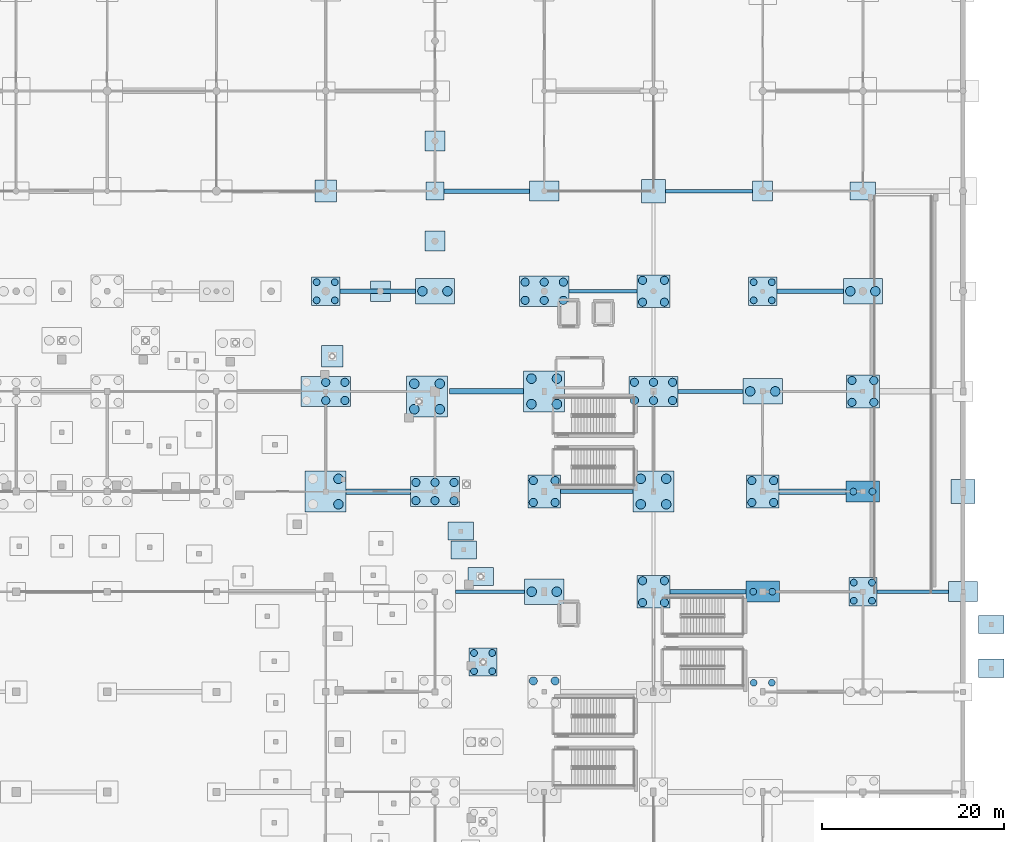
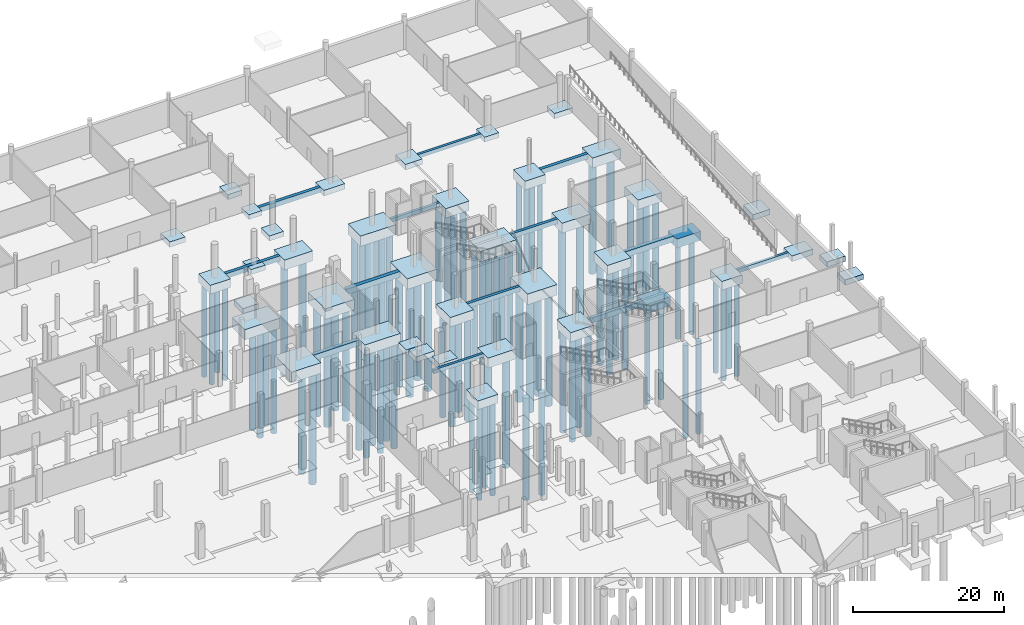
# One storey, part 7 of 60: 88 piles, 53 footings.
"""IFC4 building model written with IfcOpenShell, lengths in metres."""

from ifc_helpers import new_model, si_unit, direction, frame, origin, origin_2d, place, context, subcontext, project, spatial, rectangle, circle, extrude, material, material_profile, profile_set, type_object, element, save


model = new_model("IFC4")

# Units and contexts
model_context = context("Model", 3, precision=1e-05, world=origin(), true_north=direction((0.0, 1.0)))
body_context = subcontext(model_context, "Body", "Model", "MODEL_VIEW")
ifc_project = project(units=[si_unit("LENGTHUNIT", "METRE"), si_unit("AREAUNIT", "SQUARE_METRE"), si_unit("VOLUMEUNIT", "CUBIC_METRE"), si_unit("PLANEANGLEUNIT", "RADIAN"), si_unit("MASSUNIT", "GRAM", prefix="KILO")], contexts=[model_context])

# Site, building, storey
site_placement = place(None, origin())
site = spatial("IfcSite", under=ifc_project, at=site_placement, CompositionType="ELEMENT")
building_placement = place(site_placement, origin())
building = spatial("IfcBuilding", under=site, at=building_placement, Name="Luwafu Chhajja Arena", CompositionType="ELEMENT")
storey_placement = place(building_placement, frame((0.0, 0.0, -5.39990234375)))
storey = spatial("IfcBuildingStorey", under=building, at=storey_placement, Name="B1", CompositionType="ELEMENT", Elevation=-5.39990234375)

# Footings
ifc_material = material(Name="Concrete C35/45", Category="concrete")
footing_type_1 = type_object("IfcFootingType", Name="Arcade Corner Pad Footing PF-7", PredefinedType="PAD_FOOTING", material=ifc_material)
footing_1_placement = place(storey_placement, frame((140.0, 110.0, -0.75), z_axis=(0.0, 0.0, 1.0), x_axis=(1.0, 0.0, 0.0)))
element("IfcFooting", 1, at=footing_1_placement, inside=storey, type_object=footing_type_1, Name="Pad footing PAD-058", PredefinedType="PAD_FOOTING", context=body_context, shape_type="SweptSolid", body=[
    extrude(rectangle(XDim=2.0, YDim=2.0, at=origin_2d()), origin(), (0.0, 0.0, 1.0), 0.75),
])
ifc_material_profile_1 = material_profile(ifc_material, rectangle(XDim=0.39990234375, YDim=0.60009765625, at=origin_2d()), Name="RC 400x600")
ifc_profile_set_1 = profile_set([ifc_material_profile_1], Name="Concrete C35/45")
footing_type_2 = type_object("IfcFootingType", Name="Arcade Plinth Tie Beam GB-4", PredefinedType="FOOTING_BEAM", material=ifc_profile_set_1)
footing_2_placement = place(storey_placement, frame((142.25, 66.0, -0.300048828125), z_axis=(1.0, 0.0, 0.0), x_axis=(0.0, 1.0, 0.0)))
element("IfcFooting", 2, at=footing_2_placement, inside=storey, type_object=footing_type_2, Name="Ground tie beam GB-X-055", PredefinedType="FOOTING_BEAM", context=body_context, shape_type="SweptSolid", body=[
    extrude(rectangle(XDim=0.39990234375, YDim=0.60009765625, at=origin_2d()), origin(), (0.0, 0.0, 1.0), 7.60009765625),
])
footing_3_placement = place(storey_placement, frame((188.550048828125, 66.0, -0.300048828125), z_axis=(1.0, 0.0, 0.0), x_axis=(0.0, 1.0, 0.0)))
element("IfcFooting", 3, at=footing_3_placement, inside=storey, type_object=footing_type_2, Name="Ground tie beam GB-X-057", PredefinedType="FOOTING_BEAM", context=body_context, shape_type="SweptSolid", body=[
    extrude(rectangle(XDim=0.39990234375, YDim=0.60009765625, at=origin_2d()), origin(), (0.0, 0.0, 1.0), 7.849853515625),
])
footing_4_placement = place(storey_placement, frame((154.699951171875, 99.0, -0.300048828125), z_axis=(1.0, 0.0, 0.0), x_axis=(0.0, 1.0, 0.0)))
element("IfcFooting", 4, at=footing_4_placement, inside=storey, type_object=footing_type_2, Name="Ground tie beam GB-X-081", PredefinedType="FOOTING_BEAM", context=body_context, shape_type="SweptSolid", body=[
    extrude(rectangle(XDim=0.39990234375, YDim=0.60009765625, at=origin_2d()), origin(), (0.0, 0.0, 1.0), 7.5),
])
footing_5_placement = place(storey_placement, frame((165.300048828125, 110.0, -0.300048828125), z_axis=(1.0, 0.0, 0.0), x_axis=(0.0, 1.0, 0.0)))
element("IfcFooting", 5, at=footing_5_placement, inside=storey, type_object=footing_type_2, Name="Ground tie beam GB-X-088", PredefinedType="FOOTING_BEAM", context=body_context, shape_type="SweptSolid", body=[
    extrude(rectangle(XDim=0.39990234375, YDim=0.60009765625, at=origin_2d()), origin(), (0.0, 0.0, 1.0), 9.599853515625),
])

# Piles
ifc_material_profile_2 = material_profile(ifc_material, circle(Radius=0.52490234375, at=origin_2d()), Name="PILE D1050")
ifc_profile_set_2 = profile_set([ifc_material_profile_2], Name="Concrete C35/45")
pile_type_1 = type_object("IfcPileType", Name="Bored Socketed Pile D1050", PredefinedType="BORED", material=ifc_profile_set_2)
for number, where, z_axis, x_axis, name in (
    (6, (137.72802734375, 86.04541015625, -1.60009765625), (0.0, 0.0, -1.0), (1.0, 0.0, 0.0), "Bored pile PIL-PC-3-001-1"),
    (7, (140.528076171875, 86.04541015625, -1.60009765625), (0.0, 0.0, -1.0), (1.0, 0.0, 0.0), "Bored pile PIL-PC-3-001-2"),
    (8, (137.72802734375, 88.845458984375, -1.60009765625), (0.0, 0.0, -1.0), (1.0, 0.0, 0.0), "Bored pile PIL-PC-3-001-3"),
    (9, (140.528076171875, 88.845458984375, -1.60009765625), (0.0, 0.0, -1.0), (1.0, 0.0, 0.0), "Bored pile PIL-PC-3-001-4"),
    (10, (129.39990234375, 75.60009765625, -1.60009765625), (0.0, 0.0, -1.0), (1.0, 0.0, 0.0), "Bored pile PIL-PC-3-084-2"),
    (11, (129.39990234375, 78.39990234375, -1.60009765625), (0.0, 0.0, -1.0), (1.0, 0.0, 0.0), "Bored pile PIL-PC-3-084-4"),
    (12, (138.625, 99.0, -1.5), (0.0, 0.0, -1.0), (1.0, 0.0, 0.0), "Bored pile PIL-PC-2-094-1"),
    (13, (141.375, 99.0, -1.5), (0.0, 0.0, -1.0), (1.0, 0.0, 0.0), "Bored pile PIL-PC-2-094-2"),
    (14, (150.625, 66.0, -1.5), (0.0, 0.0, -1.0), (1.0, 0.0, 0.0), "Bored pile PIL-PC-2-101-1"),
    (15, (153.375, 66.0, -1.5), (0.0, 0.0, -1.0), (1.0, 0.0, 0.0), "Bored pile PIL-PC-2-101-2"),
    (16, (150.60009765625, 86.60009765625, -1.60009765625), (0.0, 0.0, -1.0), (1.0, 0.0, 0.0), "Bored pile PIL-PC-3-103-1"),
    (17, (153.39990234375, 86.60009765625, -1.60009765625), (0.0, 0.0, -1.0), (1.0, 0.0, 0.0), "Bored pile PIL-PC-3-103-2"),
    (18, (150.60009765625, 89.39990234375, -1.60009765625), (0.0, 0.0, -1.0), (1.0, 0.0, 0.0), "Bored pile PIL-PC-3-103-3"),
    (19, (153.39990234375, 89.39990234375, -1.60009765625), (0.0, 0.0, -1.0), (1.0, 0.0, 0.0), "Bored pile PIL-PC-3-103-4"),
    (20, (162.60009765625, 75.60009765625, -1.60009765625), (0.0, 0.0, -1.0), (1.0, 0.0, 0.0), "Bored pile PIL-PC-3-112-1"),
    (21, (165.39990234375, 75.60009765625, -1.60009765625), (0.0, 0.0, -1.0), (1.0, 0.0, 0.0), "Bored pile PIL-PC-3-112-2"),
    (22, (162.60009765625, 78.39990234375, -1.60009765625), (0.0, 0.0, -1.0), (1.0, 0.0, 0.0), "Bored pile PIL-PC-3-112-3"),
    (23, (165.39990234375, 78.39990234375, -1.60009765625), (0.0, 0.0, -1.0), (1.0, 0.0, 0.0), "Bored pile PIL-PC-3-112-4"),
    (24, (174.625, 88.0, -1.5), (0.0, 0.0, -1.0), (1.0, 0.0, 0.0), "Bored pile PIL-PC-2-122-1"),
    (25, (177.375, 88.0, -1.5), (0.0, 0.0, -1.0), (1.0, 0.0, 0.0), "Bored pile PIL-PC-2-122-2"),
    (26, (185.625, 99.0, -1.5), (0.0, 0.0, -1.0), (1.0, 0.0, 0.0), "Bored pile PIL-PC-2-132-1"),
    (27, (188.375, 99.0, -1.5), (0.0, 0.0, -1.0), (1.0, 0.0, 0.0), "Bored pile PIL-PC-2-132-2"),
):
    element("IfcPile", number, at=place(storey_placement, frame(where, z_axis=z_axis, x_axis=x_axis)), inside=storey, type_object=pile_type_1, Name=name, PredefinedType="BORED", context=body_context, shape_type="SweptSolid", body=[
        extrude(circle(Radius=0.52490234375, at=origin_2d()), origin(), (0.0, 0.0, 1.0), 18.0),
    ])
ifc_material_profile_3 = material_profile(ifc_material, circle(Radius=0.375, at=origin_2d()), Name="PILE D750")
ifc_profile_set_3 = profile_set([ifc_material_profile_3], Name="Concrete C35/45")
pile_type_2 = type_object("IfcPileType", Name="Bored Socketed Pile D750", PredefinedType="BORED", material=ifc_profile_set_3)
for number, where, z_axis, x_axis, name in (
    (28, (127.0, 98.0, -1.300048828125), (0.0, 0.0, -1.0), (1.0, 0.0, 0.0), "Bored pile PIL-PC-4-086-1"),
    (29, (129.0, 98.0, -1.300048828125), (0.0, 0.0, -1.0), (1.0, 0.0, 0.0), "Bored pile PIL-PC-4-086-2"),
    (30, (127.0, 100.0, -1.300048828125), (0.0, 0.0, -1.0), (1.0, 0.0, 0.0), "Bored pile PIL-PC-4-086-3"),
    (31, (129.0, 100.0, -1.300048828125), (0.0, 0.0, -1.0), (1.0, 0.0, 0.0), "Bored pile PIL-PC-4-086-4"),
    (32, (175.0, 56.0, -1.300048828125), (0.0, 0.0, -1.0), (1.0, 0.0, 0.0), "Bored pile PIL-PC-4-119-3"),
    (33, (177.0, 56.0, -1.300048828125), (0.0, 0.0, -1.0), (1.0, 0.0, 0.0), "Bored pile PIL-PC-4-119-4"),
):
    element("IfcPile", number, at=place(storey_placement, frame(where, z_axis=z_axis, x_axis=x_axis)), inside=storey, type_object=pile_type_2, Name=name, PredefinedType="BORED", context=body_context, shape_type="SweptSolid", body=[
        extrude(circle(Radius=0.375, at=origin_2d()), origin(), (0.0, 0.0, 1.0), 15.0),
    ])
for number, where, z_axis, x_axis, name in (
    (34, (174.949951171875, 66.0, -1.35009765625), (0.0, 0.0, -1.0), (1.0, 0.0, 0.0), "Bored pile PIL-PC-6-120-1"),
    (35, (177.050048828125, 66.0, -1.35009765625), (0.0, 0.0, -1.0), (1.0, 0.0, 0.0), "Bored pile PIL-PC-6-120-2"),
):
    element("IfcPile", number, at=place(storey_placement, frame(where, z_axis=z_axis, x_axis=x_axis)), inside=storey, type_object=pile_type_2, Name=name, PredefinedType="BORED", context=body_context, shape_type="SweptSolid", body=[
        extrude(circle(Radius=0.375, at=origin_2d()), origin(), (0.0, 0.0, 1.0), 15.5),
    ])
for number, where, z_axis, x_axis, name in (
    (36, (175.0, 98.0, -1.300048828125), (0.0, 0.0, -1.0), (1.0, 0.0, 0.0), "Bored pile PIL-PC-4-123-1"),
    (37, (177.0, 98.0, -1.300048828125), (0.0, 0.0, -1.0), (1.0, 0.0, 0.0), "Bored pile PIL-PC-4-123-2"),
    (38, (175.0, 100.0, -1.300048828125), (0.0, 0.0, -1.0), (1.0, 0.0, 0.0), "Bored pile PIL-PC-4-123-3"),
    (39, (177.0, 100.0, -1.300048828125), (0.0, 0.0, -1.0), (1.0, 0.0, 0.0), "Bored pile PIL-PC-4-123-4"),
    (40, (186.0, 65.0, -1.300048828125), (0.0, 0.0, -1.0), (1.0, 0.0, 0.0), "Bored pile PIL-PC-4-129-1"),
    (41, (188.0, 65.0, -1.300048828125), (0.0, 0.0, -1.0), (1.0, 0.0, 0.0), "Bored pile PIL-PC-4-129-2"),
    (42, (186.0, 67.0, -1.300048828125), (0.0, 0.0, -1.0), (1.0, 0.0, 0.0), "Bored pile PIL-PC-4-129-3"),
    (43, (188.0, 67.0, -1.300048828125), (0.0, 0.0, -1.0), (1.0, 0.0, 0.0), "Bored pile PIL-PC-4-129-4"),
):
    element("IfcPile", number, at=place(storey_placement, frame(where, z_axis=z_axis, x_axis=x_axis)), inside=storey, type_object=pile_type_2, Name=name, PredefinedType="BORED", context=body_context, shape_type="SweptSolid", body=[
        extrude(circle(Radius=0.375, at=origin_2d()), origin(), (0.0, 0.0, 1.0), 15.0),
    ])
for number, where, z_axis, x_axis, name in (
    (44, (185.949951171875, 77.0, -1.35009765625), (0.0, 0.0, -1.0), (1.0, 0.0, 0.0), "Bored pile PIL-PC-6-130-1"),
    (45, (188.050048828125, 77.0, -1.35009765625), (0.0, 0.0, -1.0), (1.0, 0.0, 0.0), "Bored pile PIL-PC-6-130-2"),
):
    element("IfcPile", number, at=place(storey_placement, frame(where, z_axis=z_axis, x_axis=x_axis)), inside=storey, type_object=pile_type_2, Name=name, PredefinedType="BORED", context=body_context, shape_type="SweptSolid", body=[
        extrude(circle(Radius=0.375, at=origin_2d()), origin(), (0.0, 0.0, 1.0), 15.5),
    ])
for number, where, z_axis, x_axis, name in (
    (46, (144.28759765625, 57.269775390625, -1.300048828125), (0.0, 0.0, -1.0), (1.0, 0.0, 0.0), "Bored pile PIL-PC-4-134-1"),
    (47, (146.28759765625, 57.269775390625, -1.300048828125), (0.0, 0.0, -1.0), (1.0, 0.0, 0.0), "Bored pile PIL-PC-4-134-2"),
    (48, (144.28759765625, 59.269775390625, -1.300048828125), (0.0, 0.0, -1.0), (1.0, 0.0, 0.0), "Bored pile PIL-PC-4-134-3"),
    (49, (146.28759765625, 59.269775390625, -1.300048828125), (0.0, 0.0, -1.0), (1.0, 0.0, 0.0), "Bored pile PIL-PC-4-134-4"),
):
    element("IfcPile", number, at=place(storey_placement, frame(where, z_axis=z_axis, x_axis=x_axis)), inside=storey, type_object=pile_type_2, Name=name, PredefinedType="BORED", context=body_context, shape_type="SweptSolid", body=[
        extrude(circle(Radius=0.375, at=origin_2d()), origin(), (0.0, 0.0, 1.0), 15.0),
    ])
ifc_material_profile_4 = material_profile(ifc_material, circle(Radius=0.449951171875, at=origin_2d()), Name="PILE D900")
ifc_profile_set_4 = profile_set([ifc_material_profile_4], Name="Concrete C35/45")
pile_type_3 = type_object("IfcPileType", Name="Bored Socketed Pile D900", PredefinedType="BORED", material=ifc_profile_set_4)
for number, where, z_axis, x_axis, name in (
    (50, (128.0, 87.0, -1.550048828125), (0.0, 0.0, -1.0), (1.0, 0.0, 0.0), "Bored pile PIL-PC-5-085-2"),
    (51, (130.10009765625, 87.0, -1.550048828125), (0.0, 0.0, -1.0), (1.0, 0.0, 0.0), "Bored pile PIL-PC-5-085-3"),
    (52, (128.0, 89.0, -1.550048828125), (0.0, 0.0, -1.0), (1.0, 0.0, 0.0), "Bored pile PIL-PC-5-085-5"),
    (53, (130.10009765625, 89.0, -1.550048828125), (0.0, 0.0, -1.0), (1.0, 0.0, 0.0), "Bored pile PIL-PC-5-085-6"),
    (54, (137.89990234375, 76.0, -1.550048828125), (0.0, 0.0, -1.0), (1.0, 0.0, 0.0), "Bored pile PIL-PC-5-093-1"),
    (55, (140.0, 76.0, -1.550048828125), (0.0, 0.0, -1.0), (1.0, 0.0, 0.0), "Bored pile PIL-PC-5-093-2"),
    (56, (142.10009765625, 76.0, -1.550048828125), (0.0, 0.0, -1.0), (1.0, 0.0, 0.0), "Bored pile PIL-PC-5-093-3"),
    (57, (137.89990234375, 78.0, -1.550048828125), (0.0, 0.0, -1.0), (1.0, 0.0, 0.0), "Bored pile PIL-PC-5-093-4"),
    (58, (140.0, 78.0, -1.550048828125), (0.0, 0.0, -1.0), (1.0, 0.0, 0.0), "Bored pile PIL-PC-5-093-5"),
    (59, (142.10009765625, 78.0, -1.550048828125), (0.0, 0.0, -1.0), (1.0, 0.0, 0.0), "Bored pile PIL-PC-5-093-6"),
):
    element("IfcPile", number, at=place(storey_placement, frame(where, z_axis=z_axis, x_axis=x_axis)), inside=storey, type_object=pile_type_3, Name=name, PredefinedType="BORED", context=body_context, shape_type="SweptSolid", body=[
        extrude(circle(Radius=0.449951171875, at=origin_2d()), origin(), (0.0, 0.0, 1.0), 17.0),
    ])
for number, where, z_axis, x_axis, name in (
    (60, (150.800048828125, 56.199951171875, -1.400146484375), (0.0, 0.0, -1.0), (1.0, 0.0, 0.0), "Bored pile PIL-PC-1-100-3"),
    (61, (153.199951171875, 56.199951171875, -1.400146484375), (0.0, 0.0, -1.0), (1.0, 0.0, 0.0), "Bored pile PIL-PC-1-100-4"),
    (62, (150.800048828125, 75.800048828125, -1.400146484375), (0.0, 0.0, -1.0), (1.0, 0.0, 0.0), "Bored pile PIL-PC-1-102-1"),
    (63, (153.199951171875, 75.800048828125, -1.400146484375), (0.0, 0.0, -1.0), (1.0, 0.0, 0.0), "Bored pile PIL-PC-1-102-2"),
    (64, (150.800048828125, 78.199951171875, -1.400146484375), (0.0, 0.0, -1.0), (1.0, 0.0, 0.0), "Bored pile PIL-PC-1-102-3"),
    (65, (153.199951171875, 78.199951171875, -1.400146484375), (0.0, 0.0, -1.0), (1.0, 0.0, 0.0), "Bored pile PIL-PC-1-102-4"),
):
    element("IfcPile", number, at=place(storey_placement, frame(where, z_axis=z_axis, x_axis=x_axis)), inside=storey, type_object=pile_type_3, Name=name, PredefinedType="BORED", context=body_context, shape_type="SweptSolid", body=[
        extrude(circle(Radius=0.449951171875, at=origin_2d()), origin(), (0.0, 0.0, 1.0), 16.5),
    ])
for number, where, z_axis, x_axis, name in (
    (66, (149.89990234375, 98.0, -1.550048828125), (0.0, 0.0, -1.0), (1.0, 0.0, 0.0), "Bored pile PIL-PC-5-104-1"),
    (67, (152.0, 98.0, -1.550048828125), (0.0, 0.0, -1.0), (1.0, 0.0, 0.0), "Bored pile PIL-PC-5-104-2"),
    (68, (154.10009765625, 98.0, -1.550048828125), (0.0, 0.0, -1.0), (1.0, 0.0, 0.0), "Bored pile PIL-PC-5-104-3"),
    (69, (149.89990234375, 100.0, -1.550048828125), (0.0, 0.0, -1.0), (1.0, 0.0, 0.0), "Bored pile PIL-PC-5-104-4"),
    (70, (152.0, 100.0, -1.550048828125), (0.0, 0.0, -1.0), (1.0, 0.0, 0.0), "Bored pile PIL-PC-5-104-5"),
    (71, (154.10009765625, 100.0, -1.550048828125), (0.0, 0.0, -1.0), (1.0, 0.0, 0.0), "Bored pile PIL-PC-5-104-6"),
):
    element("IfcPile", number, at=place(storey_placement, frame(where, z_axis=z_axis, x_axis=x_axis)), inside=storey, type_object=pile_type_3, Name=name, PredefinedType="BORED", context=body_context, shape_type="SweptSolid", body=[
        extrude(circle(Radius=0.449951171875, at=origin_2d()), origin(), (0.0, 0.0, 1.0), 17.0),
    ])
for number, where, z_axis, x_axis, name in (
    (72, (162.800048828125, 64.800048828125, -1.400146484375), (0.0, 0.0, -1.0), (1.0, 0.0, 0.0), "Bored pile PIL-PC-1-111-1"),
    (73, (165.199951171875, 64.800048828125, -1.400146484375), (0.0, 0.0, -1.0), (1.0, 0.0, 0.0), "Bored pile PIL-PC-1-111-2"),
    (74, (162.800048828125, 67.199951171875, -1.400146484375), (0.0, 0.0, -1.0), (1.0, 0.0, 0.0), "Bored pile PIL-PC-1-111-3"),
    (75, (165.199951171875, 67.199951171875, -1.400146484375), (0.0, 0.0, -1.0), (1.0, 0.0, 0.0), "Bored pile PIL-PC-1-111-4"),
):
    element("IfcPile", number, at=place(storey_placement, frame(where, z_axis=z_axis, x_axis=x_axis)), inside=storey, type_object=pile_type_3, Name=name, PredefinedType="BORED", context=body_context, shape_type="SweptSolid", body=[
        extrude(circle(Radius=0.449951171875, at=origin_2d()), origin(), (0.0, 0.0, 1.0), 16.5),
    ])
for number, where, z_axis, x_axis, name in (
    (76, (161.89990234375, 87.0, -1.550048828125), (0.0, 0.0, -1.0), (1.0, 0.0, 0.0), "Bored pile PIL-PC-5-113-1"),
    (77, (164.0, 87.0, -1.550048828125), (0.0, 0.0, -1.0), (1.0, 0.0, 0.0), "Bored pile PIL-PC-5-113-2"),
    (78, (166.10009765625, 87.0, -1.550048828125), (0.0, 0.0, -1.0), (1.0, 0.0, 0.0), "Bored pile PIL-PC-5-113-3"),
    (79, (161.89990234375, 89.0, -1.550048828125), (0.0, 0.0, -1.0), (1.0, 0.0, 0.0), "Bored pile PIL-PC-5-113-4"),
    (80, (164.0, 89.0, -1.550048828125), (0.0, 0.0, -1.0), (1.0, 0.0, 0.0), "Bored pile PIL-PC-5-113-5"),
    (81, (166.10009765625, 89.0, -1.550048828125), (0.0, 0.0, -1.0), (1.0, 0.0, 0.0), "Bored pile PIL-PC-5-113-6"),
):
    element("IfcPile", number, at=place(storey_placement, frame(where, z_axis=z_axis, x_axis=x_axis)), inside=storey, type_object=pile_type_3, Name=name, PredefinedType="BORED", context=body_context, shape_type="SweptSolid", body=[
        extrude(circle(Radius=0.449951171875, at=origin_2d()), origin(), (0.0, 0.0, 1.0), 17.0),
    ])
for number, where, z_axis, x_axis, name in (
    (82, (162.800048828125, 97.800048828125, -1.400146484375), (0.0, 0.0, -1.0), (1.0, 0.0, 0.0), "Bored pile PIL-PC-1-114-1"),
    (83, (165.199951171875, 97.800048828125, -1.400146484375), (0.0, 0.0, -1.0), (1.0, 0.0, 0.0), "Bored pile PIL-PC-1-114-2"),
    (84, (162.800048828125, 100.199951171875, -1.400146484375), (0.0, 0.0, -1.0), (1.0, 0.0, 0.0), "Bored pile PIL-PC-1-114-3"),
    (85, (165.199951171875, 100.199951171875, -1.400146484375), (0.0, 0.0, -1.0), (1.0, 0.0, 0.0), "Bored pile PIL-PC-1-114-4"),
    (86, (174.800048828125, 75.800048828125, -1.400146484375), (0.0, 0.0, -1.0), (1.0, 0.0, 0.0), "Bored pile PIL-PC-1-121-1"),
    (87, (177.199951171875, 75.800048828125, -1.400146484375), (0.0, 0.0, -1.0), (1.0, 0.0, 0.0), "Bored pile PIL-PC-1-121-2"),
    (88, (174.800048828125, 78.199951171875, -1.400146484375), (0.0, 0.0, -1.0), (1.0, 0.0, 0.0), "Bored pile PIL-PC-1-121-3"),
    (89, (177.199951171875, 78.199951171875, -1.400146484375), (0.0, 0.0, -1.0), (1.0, 0.0, 0.0), "Bored pile PIL-PC-1-121-4"),
    (90, (185.800048828125, 86.800048828125, -1.400146484375), (0.0, 0.0, -1.0), (1.0, 0.0, 0.0), "Bored pile PIL-PC-1-131-1"),
    (91, (188.199951171875, 86.800048828125, -1.400146484375), (0.0, 0.0, -1.0), (1.0, 0.0, 0.0), "Bored pile PIL-PC-1-131-2"),
    (92, (185.800048828125, 89.199951171875, -1.400146484375), (0.0, 0.0, -1.0), (1.0, 0.0, 0.0), "Bored pile PIL-PC-1-131-3"),
    (93, (188.199951171875, 89.199951171875, -1.400146484375), (0.0, 0.0, -1.0), (1.0, 0.0, 0.0), "Bored pile PIL-PC-1-131-4"),
):
    element("IfcPile", number, at=place(storey_placement, frame(where, z_axis=z_axis, x_axis=x_axis)), inside=storey, type_object=pile_type_3, Name=name, PredefinedType="BORED", context=body_context, shape_type="SweptSolid", body=[
        extrude(circle(Radius=0.449951171875, at=origin_2d()), origin(), (0.0, 0.0, 1.0), 16.5),
    ])

# Footings
footing_type_3 = type_object("IfcFootingType", Name="Charbagh Arcade Pad Footing PF-2", PredefinedType="PAD_FOOTING", material=ifc_material)
for number, where, z_axis, x_axis, name in (
    (94, (176.0, 110.0, -0.80029296875), (0.0, 0.0, 1.0), (1.0, 0.0, 0.0), "Pad footing PAD-068"),
    (95, (134.0, 99.0, -0.80029296875), (0.0, 0.0, 1.0), (1.0, 0.0, 0.0), "Pad footing PAD-111"),
    (96, (140.0, 104.5, -0.80029296875), (0.0, 0.0, 1.0), (1.0, 0.0, 0.0), "Pad footing PAD-113"),
    (97, (140.0, 115.5, -0.80029296875), (0.0, 0.0, 1.0), (1.0, 0.0, 0.0), "Pad footing PAD-115"),
):
    element("IfcFooting", number, at=place(storey_placement, frame(where, z_axis=z_axis, x_axis=x_axis)), inside=storey, type_object=footing_type_3, Name=name, PredefinedType="PAD_FOOTING", context=body_context, shape_type="SweptSolid", body=[
        extrude(rectangle(XDim=2.199951171875, YDim=2.199951171875, at=origin_2d()), origin(), (0.0, 0.0, 1.0), 0.800048828125),
    ])
footing_type_4 = type_object("IfcFootingType", Name="Colonnade Pad Footing PF-1", PredefinedType="PAD_FOOTING", material=ifc_material)
for number, where, z_axis, x_axis, name in (
    (98, (164.0, 110.0, -0.900146484375), (0.0, 0.0, 1.0), (1.0, 0.0, 0.0), "Pad footing PAD-064"),
    (99, (198.0, 77.0, -0.900146484375), (0.0, 0.0, 1.0), (1.0, 0.0, 0.0), "Pad footing PAD-082"),
):
    element("IfcFooting", number, at=place(storey_placement, frame(where, z_axis=z_axis, x_axis=x_axis)), inside=storey, type_object=footing_type_4, Name=name, PredefinedType="PAD_FOOTING", context=body_context, shape_type="SweptSolid", body=[
        extrude(rectangle(XDim=2.60009765625, YDim=2.60009765625, at=origin_2d()), origin(), (0.0, 0.0, 1.0), 0.89990234375),
    ])
footing_type_5 = type_object("IfcFootingType", Name="Forecourt Canopy Pad Footing PF-3", PredefinedType="PAD_FOOTING", material=ifc_material)
for number, where, z_axis, x_axis, name in (
    (100, (187.0, 110.0, -0.85009765625), (0.0, 0.0, 1.0), (1.0, 0.0, 0.0), "Pad footing PAD-072"),
    (101, (145.031982421875, 67.6611328125, -0.85009765625), (0.0, 0.0, 1.0), (1.0, 0.0, 0.0), "Pad footing PAD-088"),
    (102, (201.10009765625, 57.60009765625, -0.85009765625), (0.0, 0.0, 1.0), (1.0, 0.0, 0.0), "Pad footing PAD-216"),
    (103, (201.10009765625, 62.39990234375, -0.85009765625), (0.0, 0.0, 1.0), (1.0, 0.0, 0.0), "Pad footing PAD-217"),
    (104, (143.145751953125, 70.58984375, -0.85009765625), (0.0, 0.0, 1.0), (1.0, 0.0, 0.0), "Pad footing PAD-220"),
    (105, (142.821044921875, 72.66455078125, -0.85009765625), (0.0, 0.0, 1.0), (1.0, 0.0, 0.0), "Pad footing PAD-221"),
):
    element("IfcFooting", number, at=place(storey_placement, frame(where, z_axis=z_axis, x_axis=x_axis)), inside=storey, type_object=footing_type_5, Name=name, PredefinedType="PAD_FOOTING", context=body_context, shape_type="SweptSolid", body=[
        extrude(rectangle(XDim=2.800048828125, YDim=2.0, at=origin_2d()), origin(), (0.0, 0.0, 1.0), 0.85009765625),
    ])
footing_type_6 = type_object("IfcFootingType", Name="Light Court Pad Footing PF-8", PredefinedType="PAD_FOOTING", material=ifc_material)
for number, where, z_axis, x_axis, name in (
    (106, (152.0, 110.0, -0.900146484375), (0.0, 0.0, 1.0), (1.0, 0.0, 0.0), "Pad footing PAD-061"),
    (107, (198.0, 66.0, -0.900146484375), (0.0, 0.0, 1.0), (1.0, 0.0, 0.0), "Pad footing PAD-081"),
):
    element("IfcFooting", number, at=place(storey_placement, frame(where, z_axis=z_axis, x_axis=x_axis)), inside=storey, type_object=footing_type_6, Name=name, PredefinedType="PAD_FOOTING", context=body_context, shape_type="SweptSolid", body=[
        extrude(rectangle(XDim=3.199951171875, YDim=2.199951171875, at=origin_2d()), origin(), (0.0, 0.0, 1.0), 0.89990234375),
    ])
ifc_material_profile_5 = material_profile(ifc_material, rectangle(XDim=0.449951171875, YDim=0.75, at=origin_2d()), Name="RC 450x750")
ifc_profile_set_5 = profile_set([ifc_material_profile_5], Name="Concrete C35/45")
footing_type_7 = type_object("IfcFootingType", Name="Perimeter Plinth Ground Beam GB-3", PredefinedType="FOOTING_BEAM", material=ifc_profile_set_5)
footing_6_placement = place(storey_placement, frame((153.800048828125, 77.0, -0.375), z_axis=(1.0, 0.0, 0.0), x_axis=(0.0, 1.0, 0.0)))
element("IfcFooting", 108, at=footing_6_placement, inside=storey, type_object=footing_type_7, Name="Ground tie beam GB-X-064", PredefinedType="FOOTING_BEAM", context=body_context, shape_type="SweptSolid", body=[
    extrude(rectangle(XDim=0.449951171875, YDim=0.75, at=origin_2d()), origin(), (0.0, 0.0, 1.0), 7.949951171875),
])
footing_7_placement = place(storey_placement, frame((166.699951171875, 88.0, -0.375), z_axis=(1.0, 0.0, 0.0), x_axis=(0.0, 1.0, 0.0)))
element("IfcFooting", 109, at=footing_7_placement, inside=storey, type_object=footing_type_7, Name="Ground tie beam GB-X-073", PredefinedType="FOOTING_BEAM", context=body_context, shape_type="SweptSolid", body=[
    extrude(rectangle(XDim=0.449951171875, YDim=0.75, at=origin_2d()), origin(), (0.0, 0.0, 1.0), 7.150146484375),
])
ifc_material_profile_6 = material_profile(ifc_material, rectangle(XDim=0.60009765625, YDim=0.89990234375, at=origin_2d()), Name="RC 600x900")
ifc_profile_set_6 = profile_set([ifc_material_profile_6], Name="Concrete C35/45")
footing_type_8 = type_object("IfcFootingType", Name="Primary Ground Tie Beam GB-1", PredefinedType="FOOTING_BEAM", material=ifc_profile_set_6)
footing_8_placement = place(storey_placement, frame((130.25, 77.0, -0.4501953125), z_axis=(1.0, 0.0, 0.0), x_axis=(0.0, 1.0, 0.0)))
element("IfcFooting", 110, at=footing_8_placement, inside=storey, type_object=footing_type_8, Name="Ground tie beam GB-X-063", PredefinedType="FOOTING_BEAM", context=body_context, shape_type="SweptSolid", body=[
    extrude(rectangle(XDim=0.60009765625, YDim=0.89990234375, at=origin_2d()), origin(), (0.0, 0.0, 1.0), 7.050048828125),
])
footing_9_placement = place(storey_placement, frame((177.800048828125, 77.0, -0.4501953125), z_axis=(1.0, 0.0, 0.0), x_axis=(0.0, 1.0, 0.0)))
element("IfcFooting", 111, at=footing_9_placement, inside=storey, type_object=footing_type_8, Name="Ground tie beam GB-X-065", PredefinedType="FOOTING_BEAM", context=body_context, shape_type="SweptSolid", body=[
    extrude(rectangle(XDim=0.60009765625, YDim=0.89990234375, at=origin_2d()), origin(), (0.0, 0.0, 1.0), 7.349853515625),
])
footing_10_placement = place(storey_placement, frame((141.60009765625, 88.0, -0.4501953125), z_axis=(1.0, 0.0, 0.0), x_axis=(0.0, 1.0, 0.0)))
element("IfcFooting", 112, at=footing_10_placement, inside=storey, type_object=footing_type_8, Name="Ground tie beam GB-X-072", PredefinedType="FOOTING_BEAM", context=body_context, shape_type="SweptSolid", body=[
    extrude(rectangle(XDim=0.60009765625, YDim=0.89990234375, at=origin_2d()), origin(), (0.0, 0.0, 1.0), 8.14990234375),
])
footing_type_9 = type_object("IfcFootingType", Name="Raker Plinth Pad Footing PF-6", PredefinedType="PAD_FOOTING", material=ifc_material)
for number, where, z_axis, x_axis, name in (
    (113, (128.0, 110.0, -0.85009765625), (0.0, 0.0, 1.0), (1.0, 0.0, 0.0), "Pad footing PAD-055"),
    (114, (128.718017578125, 91.86279296875, -0.85009765625), (0.0, 0.0, 1.0), (1.0, 0.0, 0.0), "Pad footing PAD-089"),
):
    element("IfcFooting", number, at=place(storey_placement, frame(where, z_axis=z_axis, x_axis=x_axis)), inside=storey, type_object=footing_type_9, Name=name, PredefinedType="PAD_FOOTING", context=body_context, shape_type="SweptSolid", body=[
        extrude(rectangle(XDim=2.39990234375, YDim=2.39990234375, at=origin_2d()), origin(), (0.0, 0.0, 1.0), 0.85009765625),
    ])
footing_type_10 = type_object("IfcFootingType", Name="Reinforced Concrete Pile Cap PC-1", PredefinedType="PILE_CAP", material=ifc_material)
for number, where, z_axis, x_axis, name in (
    (115, (152.0, 77.0, -1.5), (0.0, 0.0, 1.0), (1.0, 0.0, 0.0), "Pile cap PC-1 102"),
    (116, (164.0, 66.0, -1.5), (0.0, 0.0, 1.0), (1.0, 0.0, 0.0), "Pile cap PC-1 111"),
    (117, (164.0, 99.0, -1.5), (0.0, 0.0, 1.0), (1.0, 0.0, 0.0), "Pile cap PC-1 114"),
    (118, (176.0, 77.0, -1.5), (0.0, 0.0, 1.0), (1.0, 0.0, 0.0), "Pile cap PC-1 121"),
    (119, (187.0, 88.0, -1.5), (0.0, 0.0, 1.0), (1.0, 0.0, 0.0), "Pile cap PC-1 131"),
):
    element("IfcFooting", number, at=place(storey_placement, frame(where, z_axis=z_axis, x_axis=x_axis)), inside=storey, type_object=footing_type_10, Name=name, PredefinedType="PILE_CAP", context=body_context, shape_type="SweptSolid", body=[
        extrude(rectangle(XDim=3.60009765625, YDim=3.60009765625, at=origin_2d()), origin(), (0.0, 0.0, 1.0), 1.5),
    ])
footing_type_11 = type_object("IfcFootingType", Name="Reinforced Concrete Pile Cap PC-2", PredefinedType="PILE_CAP", material=ifc_material)
for number, where, z_axis, x_axis, name in (
    (120, (140.0, 99.0, -1.60009765625), (0.0, 0.0, 1.0), (1.0, 0.0, 0.0), "Pile cap PC-2 094"),
    (121, (152.0, 66.0, -1.60009765625), (0.0, 0.0, 1.0), (1.0, 0.0, 0.0), "Pile cap PC-2 101"),
    (122, (176.0, 88.0, -1.60009765625), (0.0, 0.0, 1.0), (1.0, 0.0, 0.0), "Pile cap PC-2 122"),
    (123, (187.0, 99.0, -1.60009765625), (0.0, 0.0, 1.0), (1.0, 0.0, 0.0), "Pile cap PC-2 132"),
):
    element("IfcFooting", number, at=place(storey_placement, frame(where, z_axis=z_axis, x_axis=x_axis)), inside=storey, type_object=footing_type_11, Name=name, PredefinedType="PILE_CAP", context=body_context, shape_type="SweptSolid", body=[
        extrude(rectangle(XDim=4.300048828125, YDim=2.800048828125, at=origin_2d()), origin(), (0.0, 0.0, 1.0), 1.60009765625),
    ])
footing_type_12 = type_object("IfcFootingType", Name="Reinforced Concrete Pile Cap PC-3", PredefinedType="PILE_CAP", material=ifc_material)
for number, where, z_axis, x_axis, name in (
    (124, (139.128173828125, 87.4453125, -1.7001953125), (0.0, 0.0, 1.0), (1.0, 0.0, 0.0), "Pile cap PC-3 001"),
    (125, (128.0, 77.0, -1.7001953125), (0.0, 0.0, 1.0), (1.0, 0.0, 0.0), "Pile cap PC-3 084"),
    (126, (152.0, 88.0, -1.7001953125), (0.0, 0.0, 1.0), (1.0, 0.0, 0.0), "Pile cap PC-3 103"),
    (127, (164.0, 77.0, -1.7001953125), (0.0, 0.0, 1.0), (1.0, 0.0, 0.0), "Pile cap PC-3 112"),
):
    element("IfcFooting", number, at=place(storey_placement, frame(where, z_axis=z_axis, x_axis=x_axis)), inside=storey, type_object=footing_type_12, Name=name, PredefinedType="PILE_CAP", context=body_context, shape_type="SweptSolid", body=[
        extrude(rectangle(XDim=4.5, YDim=4.5, at=origin_2d()), origin(), (0.0, 0.0, 1.0), 1.699951171875),
    ])
footing_type_13 = type_object("IfcFootingType", Name="Reinforced Concrete Pile Cap PC-4", PredefinedType="PILE_CAP", material=ifc_material)
for number, where, z_axis, x_axis, name in (
    (128, (128.0, 99.0, -1.400146484375), (0.0, 0.0, 1.0), (1.0, 0.0, 0.0), "Pile cap PC-4 086"),
    (129, (176.0, 99.0, -1.400146484375), (0.0, 0.0, 1.0), (1.0, 0.0, 0.0), "Pile cap PC-4 123"),
    (130, (187.0, 66.0, -1.400146484375), (0.0, 0.0, 1.0), (1.0, 0.0, 0.0), "Pile cap PC-4 129"),
    (131, (145.28759765625, 58.269775390625, -1.400146484375), (0.0, 0.0, 1.0), (1.0, 0.0, 0.0), "Pile cap PC-4 134"),
):
    element("IfcFooting", number, at=place(storey_placement, frame(where, z_axis=z_axis, x_axis=x_axis)), inside=storey, type_object=footing_type_13, Name=name, PredefinedType="PILE_CAP", context=body_context, shape_type="SweptSolid", body=[
        extrude(rectangle(XDim=3.10009765625, YDim=3.10009765625, at=origin_2d()), origin(), (0.0, 0.0, 1.0), 1.39990234375),
    ])
footing_type_14 = type_object("IfcFootingType", Name="Reinforced Concrete Pile Cap PC-5", PredefinedType="PILE_CAP", material=ifc_material)
for number, where, z_axis, x_axis, name in (
    (132, (128.0, 88.0, -1.650146484375), (0.0, 0.0, 1.0), (1.0, 0.0, 0.0), "Pile cap PC-5 085"),
    (133, (140.0, 77.0, -1.650146484375), (0.0, 0.0, 1.0), (1.0, 0.0, 0.0), "Pile cap PC-5 093"),
    (134, (152.0, 99.0, -1.650146484375), (0.0, 0.0, 1.0), (1.0, 0.0, 0.0), "Pile cap PC-5 104"),
    (135, (164.0, 88.0, -1.650146484375), (0.0, 0.0, 1.0), (1.0, 0.0, 0.0), "Pile cap PC-5 113"),
):
    element("IfcFooting", number, at=place(storey_placement, frame(where, z_axis=z_axis, x_axis=x_axis)), inside=storey, type_object=footing_type_14, Name=name, PredefinedType="PILE_CAP", context=body_context, shape_type="SweptSolid", body=[
        extrude(rectangle(XDim=5.39990234375, YDim=3.300048828125, at=origin_2d()), origin(), (0.0, 0.0, 1.0), 1.64990234375),
    ])
footing_type_15 = type_object("IfcFootingType", Name="Reinforced Concrete Pile Cap PC-6", PredefinedType="PILE_CAP", material=ifc_material)
for number, where, z_axis, x_axis, name in (
    (136, (176.0, 66.0, -1.4501953125), (0.0, 0.0, 1.0), (1.0, 0.0, 0.0), "Pile cap PC-6 120"),
    (137, (187.0, 77.0, -1.4501953125), (0.0, 0.0, 1.0), (1.0, 0.0, 0.0), "Pile cap PC-6 130"),
):
    element("IfcFooting", number, at=place(storey_placement, frame(where, z_axis=z_axis, x_axis=x_axis)), inside=storey, type_object=footing_type_15, Name=name, PredefinedType="PILE_CAP", context=body_context, shape_type="SweptSolid", body=[
        extrude(rectangle(XDim=3.699951171875, YDim=2.300048828125, at=origin_2d()), origin(), (0.0, 0.0, 1.0), 1.449951171875),
    ])
ifc_material_profile_7 = material_profile(ifc_material, rectangle(XDim=0.5, YDim=0.800048828125, at=origin_2d()), Name="RC 500x800")
ifc_profile_set_7 = profile_set([ifc_material_profile_7], Name="Concrete C35/45")
footing_type_16 = type_object("IfcFootingType", Name="Secondary Ground Tie Beam GB-2", PredefinedType="FOOTING_BEAM", material=ifc_profile_set_7)
footing_11_placement = place(storey_placement, frame((165.800048828125, 66.0, -0.400146484375), z_axis=(1.0, 0.0, 0.0), x_axis=(0.0, 1.0, 0.0)))
element("IfcFooting", 138, at=footing_11_placement, inside=storey, type_object=footing_type_16, Name="Ground tie beam GB-X-056", PredefinedType="FOOTING_BEAM", context=body_context, shape_type="SweptSolid", body=[
    extrude(rectangle(XDim=0.5, YDim=0.800048828125, at=origin_2d()), origin(), (0.0, 0.0, 1.0), 8.349853515625),
])
footing_12_placement = place(storey_placement, frame((129.550048828125, 99.0, -0.400146484375), z_axis=(1.0, 0.0, 0.0), x_axis=(0.0, 1.0, 0.0)))
element("IfcFooting", 139, at=footing_12_placement, inside=storey, type_object=footing_type_16, Name="Ground tie beam GB-X-080", PredefinedType="FOOTING_BEAM", context=body_context, shape_type="SweptSolid", body=[
    extrude(rectangle(XDim=0.5, YDim=0.800048828125, at=origin_2d()), origin(), (0.0, 0.0, 1.0), 8.300048828125),
])
footing_13_placement = place(storey_placement, frame((177.550048828125, 99.0, -0.400146484375), z_axis=(1.0, 0.0, 0.0), x_axis=(0.0, 1.0, 0.0)))
element("IfcFooting", 140, at=footing_13_placement, inside=storey, type_object=footing_type_16, Name="Ground tie beam GB-X-082", PredefinedType="FOOTING_BEAM", context=body_context, shape_type="SweptSolid", body=[
    extrude(rectangle(XDim=0.5, YDim=0.800048828125, at=origin_2d()), origin(), (0.0, 0.0, 1.0), 7.300048828125),
])
footing_14_placement = place(storey_placement, frame((141.0, 110.0, -0.400146484375), z_axis=(1.0, 0.0, 0.0), x_axis=(0.0, 1.0, 0.0)))
element("IfcFooting", 141, at=footing_14_placement, inside=storey, type_object=footing_type_16, Name="Ground tie beam GB-X-087", PredefinedType="FOOTING_BEAM", context=body_context, shape_type="SweptSolid", body=[
    extrude(rectangle(XDim=0.5, YDim=0.800048828125, at=origin_2d()), origin(), (0.0, 0.0, 1.0), 9.39990234375),
])

save(model, "model.ifc")
